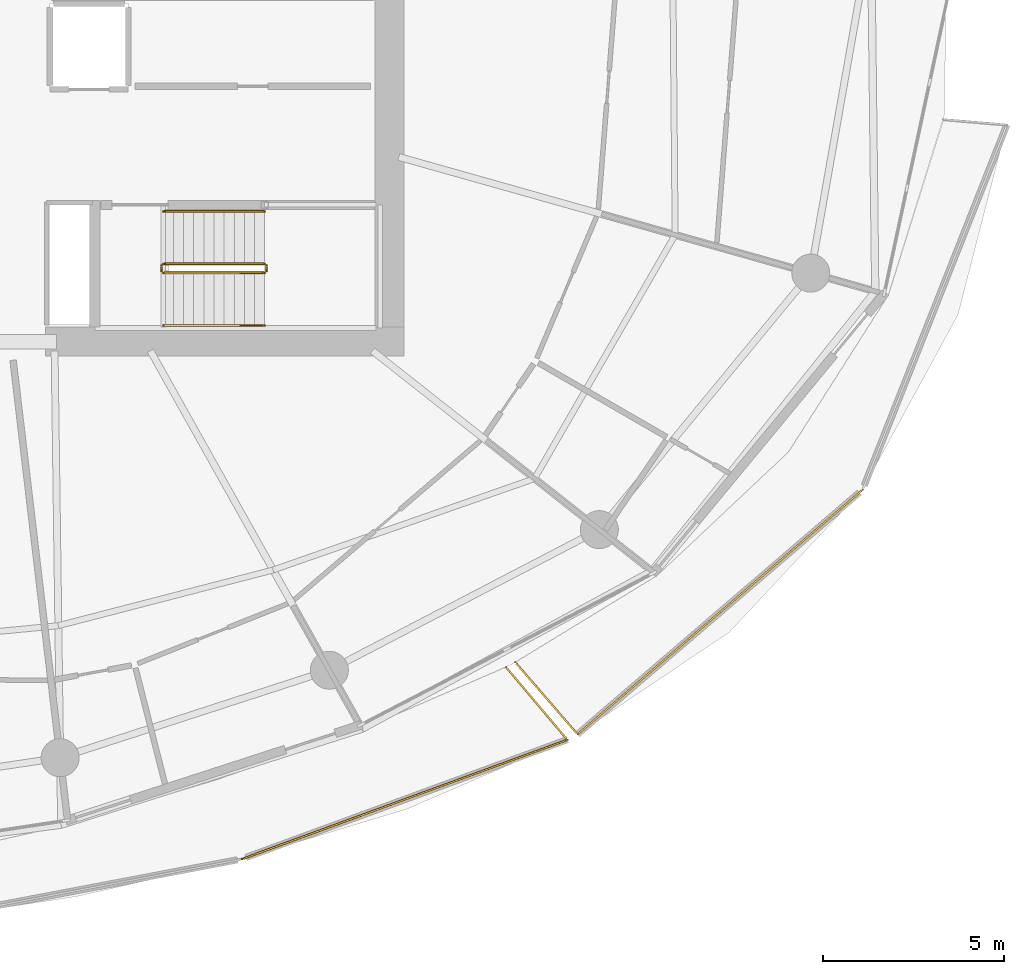
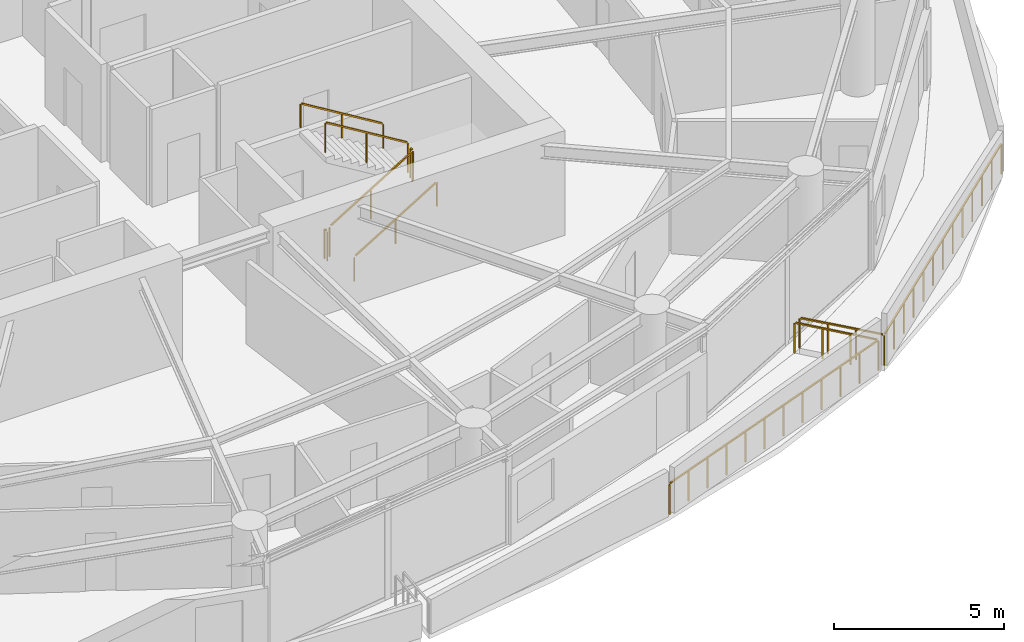
# One storey, part 18 of 20: 10 railings.
"""IFC4 building model written with IfcOpenShell, lengths in metres."""

from ifc_helpers import new_model, si_unit, direction, frame, origin, origin_2d, place, context, subcontext, project, spatial, rectangle, extrude, material, type_object, element, save


model = new_model("IFC4")

# Units and contexts
model_context = context("Model", 3, precision=1e-05, world=origin(), true_north=direction((0.0, 1.0)))
body_context = subcontext(model_context, "Body", "Model", "MODEL_VIEW")
ifc_project = project(units=[si_unit("LENGTHUNIT", "METRE"), si_unit("AREAUNIT", "SQUARE_METRE"), si_unit("VOLUMEUNIT", "CUBIC_METRE"), si_unit("PLANEANGLEUNIT", "RADIAN"), si_unit("MASSUNIT", "GRAM", prefix="KILO")], contexts=[model_context])

# Site, building, storey
site_placement = place(None, origin())
site = spatial("IfcSite", under=ifc_project, at=site_placement, CompositionType="ELEMENT")
building_placement = place(site_placement, origin())
building = spatial("IfcBuilding", under=site, at=building_placement, Name="Kazma Halo Residences", CompositionType="ELEMENT")
storey_placement = place(building_placement, frame((0.0, 0.0, 161.550048828125)))
storey = spatial("IfcBuildingStorey", under=building, at=storey_placement, Name="L40", CompositionType="ELEMENT", Elevation=161.550048828125)

# Railings
ifc_material_1 = material(Name="Aluminium AW-6063 T6 Brushed Cap Rail", Category="aluminium")
railing_type_1 = type_object("IfcRailingType", Name="RLG-BAL-CAP-1120", PredefinedType="BALUSTRADE", material=ifc_material_1)
railing_1_placement = place(storey_placement, frame((55.368896484375, 19.320556640625, 0.0)))
element("IfcRailing", 1, at=railing_1_placement, inside=storey, type_object=railing_type_1, Name="L40 SSE wave balcony guard 3", PredefinedType="BALUSTRADE", context=body_context, shape_type="SweptSolid", body=[
    extrude(rectangle(XDim=0.050048828125, YDim=0.050048828125, at=origin_2d()), frame((0.0400390625, 0.0146484375, 1.09521484375), z_axis=(0.938895555722, 0.344202172344, 0.0), x_axis=(-0.344202172344, 0.938895555722, 0.0)), (0.0, 0.0, 1.0), 9.48388671875),
    extrude(rectangle(XDim=0.0400390625, YDim=0.0400390625, at=origin_2d()), origin(), (0.0, 0.0, 1.0), 1.05810546875),
    extrude(rectangle(XDim=0.0400390625, YDim=0.0400390625, at=origin_2d()), frame((0.816650390625, 0.29931640625, 0.0)), (0.0, 0.0, 1.0), 1.05810546875),
    extrude(rectangle(XDim=0.0400390625, YDim=0.0400390625, at=origin_2d()), frame((1.633544921875, 0.598876953125, 0.0)), (0.0, 0.0, 1.0), 1.05810546875),
    extrude(rectangle(XDim=0.0400390625, YDim=0.0400390625, at=origin_2d()), frame((2.4501953125, 0.898193359375, 0.0)), (0.0, 0.0, 1.0), 1.05810546875),
    extrude(rectangle(XDim=0.0400390625, YDim=0.0400390625, at=origin_2d()), frame((3.26708984375, 1.19775390625, 0.0)), (0.0, 0.0, 1.0), 1.05810546875),
    extrude(rectangle(XDim=0.0400390625, YDim=0.0400390625, at=origin_2d()), frame((4.083740234375, 1.4970703125, 0.0)), (0.0, 0.0, 1.0), 1.05810546875),
    extrude(rectangle(XDim=0.0400390625, YDim=0.0400390625, at=origin_2d()), frame((4.900634765625, 1.796630859375, 0.0)), (0.0, 0.0, 1.0), 1.05810546875),
    extrude(rectangle(XDim=0.0400390625, YDim=0.0400390625, at=origin_2d()), frame((5.71728515625, 2.095947265625, 0.0)), (0.0, 0.0, 1.0), 1.05810546875),
    extrude(rectangle(XDim=0.0400390625, YDim=0.0400390625, at=origin_2d()), frame((6.5341796875, 2.3955078125, 0.0)), (0.0, 0.0, 1.0), 1.05810546875),
    extrude(rectangle(XDim=0.0400390625, YDim=0.0400390625, at=origin_2d()), frame((7.350830078125, 2.69482421875, 0.0)), (0.0, 0.0, 1.0), 1.05810546875),
    extrude(rectangle(XDim=0.0400390625, YDim=0.0400390625, at=origin_2d()), frame((8.167724609375, 2.994384765625, 0.0)), (0.0, 0.0, 1.0), 1.05810546875),
    extrude(rectangle(XDim=0.0400390625, YDim=0.0400390625, at=origin_2d()), frame((8.984375, 3.293701171875, 0.0)), (0.0, 0.0, 1.0), 1.05810546875),
])
railing_2_placement = place(storey_placement, frame((64.353271484375, 22.6142578125, 0.0)))
element("IfcRailing", 2, at=railing_2_placement, inside=storey, type_object=railing_type_1, Name="L40 SSE wave balcony guard 4", PredefinedType="BALUSTRADE", context=body_context, shape_type="SweptSolid", body=[
    extrude(rectangle(XDim=0.050048828125, YDim=0.050048828125, at=origin_2d()), frame((-0.02734375, 0.032470703125, 1.09521484375), z_axis=(-0.644803007039, 0.764348796109, 0.0), x_axis=(-0.764348796109, -0.644803007039, 0.0)), (0.0, 0.0, 1.0), 2.539306640625),
    extrude(rectangle(XDim=0.0400390625, YDim=0.0400390625, at=origin_2d()), origin(), (0.0, 0.0, 1.0), 1.05810546875),
    extrude(rectangle(XDim=0.0400390625, YDim=0.0400390625, at=origin_2d()), frame((-0.56396484375, 0.668701171875, 0.0)), (0.0, 0.0, 1.0), 1.05810546875),
    extrude(rectangle(XDim=0.0400390625, YDim=0.0400390625, at=origin_2d()), frame((-1.128173828125, 1.337158203125, 0.0)), (0.0, 0.0, 1.0), 1.05810546875),
    extrude(rectangle(XDim=0.0400390625, YDim=0.0400390625, at=origin_2d()), frame((-1.692138671875, 2.005859375, 0.0)), (0.0, 0.0, 1.0), 1.05810546875),
])
railing_3_placement = place(storey_placement, frame((62.91455078125, 24.751953125, 0.0)))
element("IfcRailing", 3, at=railing_3_placement, inside=storey, type_object=railing_type_1, Name="L40 SE wave balcony guard 1", PredefinedType="BALUSTRADE", context=body_context, shape_type="SweptSolid", body=[
    extrude(rectangle(XDim=0.050048828125, YDim=0.050048828125, at=origin_2d()), frame((0.02783203125, -0.0322265625, 1.09521484375), z_axis=(0.654028426736, -0.756469970998, 0.0), x_axis=(0.756469970998, 0.654028426736, 0.0)), (0.0, 0.0, 1.0), 2.543701171875),
    extrude(rectangle(XDim=0.0400390625, YDim=0.0400390625, at=origin_2d()), origin(), (0.0, 0.0, 1.0), 1.05810546875),
    extrude(rectangle(XDim=0.0400390625, YDim=0.0400390625, at=origin_2d()), frame((0.572998046875, -0.662841796875, 0.0)), (0.0, 0.0, 1.0), 1.05810546875),
    extrude(rectangle(XDim=0.0400390625, YDim=0.0400390625, at=origin_2d()), frame((1.146240234375, -1.32568359375, 0.0)), (0.0, 0.0, 1.0), 1.05810546875),
    extrude(rectangle(XDim=0.0400390625, YDim=0.0400390625, at=origin_2d()), frame((1.71923828125, -1.988525390625, 0.0)), (0.0, 0.0, 1.0), 1.05810546875),
])
railing_4_placement = place(storey_placement, frame((64.6337890625, 22.763427734375, 0.0)))
element("IfcRailing", 4, at=railing_4_placement, inside=storey, type_object=railing_type_1, Name="L40 SE wave balcony guard 2", PredefinedType="BALUSTRADE", context=body_context, shape_type="SweptSolid", body=[
    extrude(rectangle(XDim=0.050048828125, YDim=0.050048828125, at=origin_2d()), frame((0.0322265625, 0.027587890625, 1.09521484375), z_axis=(0.758998932096, 0.651091868385, 0.0), x_axis=(-0.651091868385, 0.758998932096, 0.0)), (0.0, 0.0, 1.0), 10.283935546875),
    extrude(rectangle(XDim=0.0400390625, YDim=0.0400390625, at=origin_2d()), origin(), (0.0, 0.0, 1.0), 1.05810546875),
    extrude(rectangle(XDim=0.0400390625, YDim=0.0400390625, at=origin_2d()), frame((0.65576171875, 0.5625, 0.0)), (0.0, 0.0, 1.0), 1.05810546875),
    extrude(rectangle(XDim=0.0400390625, YDim=0.0400390625, at=origin_2d()), frame((1.311767578125, 1.125244140625, 0.0)), (0.0, 0.0, 1.0), 1.05810546875),
    extrude(rectangle(XDim=0.0400390625, YDim=0.0400390625, at=origin_2d()), frame((1.967529296875, 1.687744140625, 0.0)), (0.0, 0.0, 1.0), 1.05810546875),
    extrude(rectangle(XDim=0.0400390625, YDim=0.0400390625, at=origin_2d()), frame((2.623291015625, 2.25048828125, 0.0)), (0.0, 0.0, 1.0), 1.05810546875),
    extrude(rectangle(XDim=0.0400390625, YDim=0.0400390625, at=origin_2d()), frame((3.279296875, 2.81298828125, 0.0)), (0.0, 0.0, 1.0), 1.05810546875),
    extrude(rectangle(XDim=0.0400390625, YDim=0.0400390625, at=origin_2d()), frame((3.93505859375, 3.37548828125, 0.0)), (0.0, 0.0, 1.0), 1.05810546875),
    extrude(rectangle(XDim=0.0400390625, YDim=0.0400390625, at=origin_2d()), frame((4.5908203125, 3.938232421875, 0.0)), (0.0, 0.0, 1.0), 1.05810546875),
    extrude(rectangle(XDim=0.0400390625, YDim=0.0400390625, at=origin_2d()), frame((5.246826171875, 4.500732421875, 0.0)), (0.0, 0.0, 1.0), 1.05810546875),
    extrude(rectangle(XDim=0.0400390625, YDim=0.0400390625, at=origin_2d()), frame((5.902587890625, 5.0634765625, 0.0)), (0.0, 0.0, 1.0), 1.05810546875),
    extrude(rectangle(XDim=0.0400390625, YDim=0.0400390625, at=origin_2d()), frame((6.558349609375, 5.6259765625, 0.0)), (0.0, 0.0, 1.0), 1.05810546875),
    extrude(rectangle(XDim=0.0400390625, YDim=0.0400390625, at=origin_2d()), frame((7.21435546875, 6.188720703125, 0.0)), (0.0, 0.0, 1.0), 1.05810546875),
    extrude(rectangle(XDim=0.0400390625, YDim=0.0400390625, at=origin_2d()), frame((7.8701171875, 6.751220703125, 0.0)), (0.0, 0.0, 1.0), 1.05810546875),
])
ifc_material_2 = material(Name="Painted Steel S355", Category="steel")
railing_type_2 = type_object("IfcRailingType", Name="RLG-STAIR-GRD-1100", PredefinedType="GUARDRAIL", material=ifc_material_2)
railing_5_placement = place(storey_placement, frame((53.199951171875, 35.5, 0.17041015625)))
element("IfcRailing", 5, at=railing_5_placement, inside=storey, type_object=railing_type_2, Name="L40 ST-03 stair guard 1", PredefinedType="GUARDRAIL", context=body_context, shape_type="SweptSolid", body=[
    extrude(rectangle(XDim=0.050048828125, YDim=0.050048828125, at=origin_2d()), frame((0.036376953125, 0.0, 1.09716796875), z_axis=(0.854169791009, 0.0, 0.51999420009), x_axis=(0.0, 1.0, 0.0)), (0.0, 0.0, 1.0), 3.193115234375),
    extrude(rectangle(XDim=0.0400390625, YDim=0.0400390625, at=origin_2d()), origin(), (0.0, 0.0, 1.0), 1.0380859375),
    extrude(rectangle(XDim=0.0400390625, YDim=0.0400390625, at=origin_2d()), frame((1.39990234375, 0.0, 0.852294921875)), (0.0, 0.0, 1.0), 1.0380859375),
    extrude(rectangle(XDim=0.0400390625, YDim=0.0400390625, at=origin_2d()), frame((2.800048828125, 0.0, 1.70458984375)), (0.0, 0.0, 1.0), 1.0380859375),
])
railing_6_placement = place(storey_placement, frame((56.050048828125, 35.550048828125, 1.875)))
element("IfcRailing", 6, at=railing_6_placement, inside=storey, type_object=railing_type_2, Name="L40 ST-03 stair guard 2", PredefinedType="GUARDRAIL", context=body_context, shape_type="SweptSolid", body=[
    extrude(rectangle(XDim=0.050048828125, YDim=0.050048828125, at=origin_2d()), frame((0.0, 0.04248046875, 1.0751953125), z_axis=(0.0, 1.0, 0.0), x_axis=(-1.0, 0.0, 0.0)), (0.0, 0.0, 1.0), 0.06494140625),
    extrude(rectangle(XDim=0.0400390625, YDim=0.0400390625, at=origin_2d()), origin(), (0.0, 0.0, 1.0), 1.0380859375),
    extrude(rectangle(XDim=0.0400390625, YDim=0.0400390625, at=origin_2d()), frame((0.0, 0.14990234375, 0.0)), (0.0, 0.0, 1.0), 1.0380859375),
])
railing_7_placement = place(storey_placement, frame((56.0, 35.75, 2.04541015625)))
element("IfcRailing", 7, at=railing_7_placement, inside=storey, type_object=railing_type_2, Name="L40 ST-03 stair guard 3", PredefinedType="GUARDRAIL", context=body_context, shape_type="SweptSolid", body=[
    extrude(rectangle(XDim=0.050048828125, YDim=0.050048828125, at=origin_2d()), frame((-0.036376953125, 0.0, 1.09716796875), z_axis=(-0.854169791009, 0.0, 0.51999420009), x_axis=(0.0, -1.0, 0.0)), (0.0, 0.0, 1.0), 3.193115234375),
    extrude(rectangle(XDim=0.0400390625, YDim=0.0400390625, at=origin_2d()), origin(), (0.0, 0.0, 1.0), 1.0380859375),
    extrude(rectangle(XDim=0.0400390625, YDim=0.0400390625, at=origin_2d()), frame((-1.39990234375, 0.0, 0.852294921875)), (0.0, 0.0, 1.0), 1.0380859375),
    extrude(rectangle(XDim=0.0400390625, YDim=0.0400390625, at=origin_2d()), frame((-2.800048828125, 0.0, 1.70458984375)), (0.0, 0.0, 1.0), 1.0380859375),
])
railing_8_placement = place(storey_placement, frame((53.14990234375, 35.550048828125, 0.0)))
element("IfcRailing", 8, at=railing_8_placement, inside=storey, type_object=railing_type_2, Name="L40 ST-03 stair guard 4", PredefinedType="GUARDRAIL", context=body_context, shape_type="SweptSolid", body=[
    extrude(rectangle(XDim=0.050048828125, YDim=0.050048828125, at=origin_2d()), frame((0.0, 0.04248046875, 1.0751953125), z_axis=(0.0, 1.0, 0.0), x_axis=(-1.0, 0.0, 0.0)), (0.0, 0.0, 1.0), 0.06494140625),
    extrude(rectangle(XDim=0.0400390625, YDim=0.0400390625, at=origin_2d()), origin(), (0.0, 0.0, 1.0), 1.0380859375),
    extrude(rectangle(XDim=0.0400390625, YDim=0.0400390625, at=origin_2d()), frame((0.0, 0.14990234375, 0.0)), (0.0, 0.0, 1.0), 1.0380859375),
])
ifc_material_3 = material(Name="Brushed Stainless Steel", Category="steel")
railing_type_3 = type_object("IfcRailingType", Name="RLG-STAIR-HND-900", PredefinedType="HANDRAIL", material=ifc_material_3)
railing_9_placement = place(storey_placement, frame((53.199951171875, 34.050048828125, 0.17041015625)))
element("IfcRailing", 9, at=railing_9_placement, inside=storey, type_object=railing_type_3, Name="L40 ST-03 stair handrail 1", PredefinedType="HANDRAIL", context=body_context, shape_type="SweptSolid", body=[
    extrude(rectangle(XDim=0.050048828125, YDim=0.050048828125, at=origin_2d()), frame((0.036376953125, 0.0, 0.89697265625), z_axis=(0.854169791009, 0.0, 0.51999420009), x_axis=(0.0, 1.0, 0.0)), (0.0, 0.0, 1.0), 3.193115234375),
    extrude(rectangle(XDim=0.0400390625, YDim=0.0400390625, at=origin_2d()), origin(), (0.0, 0.0, 1.0), 0.837890625),
    extrude(rectangle(XDim=0.0400390625, YDim=0.0400390625, at=origin_2d()), frame((1.39990234375, 0.0, 0.852294921875)), (0.0, 0.0, 1.0), 0.837890625),
    extrude(rectangle(XDim=0.0400390625, YDim=0.0400390625, at=origin_2d()), frame((2.800048828125, 0.0, 1.70458984375)), (0.0, 0.0, 1.0), 0.837890625),
])
railing_10_placement = place(storey_placement, frame((56.0, 37.199951171875, 2.04541015625)))
element("IfcRailing", 10, at=railing_10_placement, inside=storey, type_object=railing_type_3, Name="L40 ST-03 stair handrail 2", PredefinedType="HANDRAIL", context=body_context, shape_type="SweptSolid", body=[
    extrude(rectangle(XDim=0.050048828125, YDim=0.050048828125, at=origin_2d()), frame((-0.036376953125, 0.0, 0.89697265625), z_axis=(-0.854169791009, 0.0, 0.51999420009), x_axis=(0.0, -1.0, 0.0)), (0.0, 0.0, 1.0), 3.193115234375),
    extrude(rectangle(XDim=0.0400390625, YDim=0.0400390625, at=origin_2d()), origin(), (0.0, 0.0, 1.0), 0.837890625),
    extrude(rectangle(XDim=0.0400390625, YDim=0.0400390625, at=origin_2d()), frame((-1.39990234375, 0.0, 0.852294921875)), (0.0, 0.0, 1.0), 0.837890625),
    extrude(rectangle(XDim=0.0400390625, YDim=0.0400390625, at=origin_2d()), frame((-2.800048828125, 0.0, 1.70458984375)), (0.0, 0.0, 1.0), 0.837890625),
])

save(model, "model.ifc")
